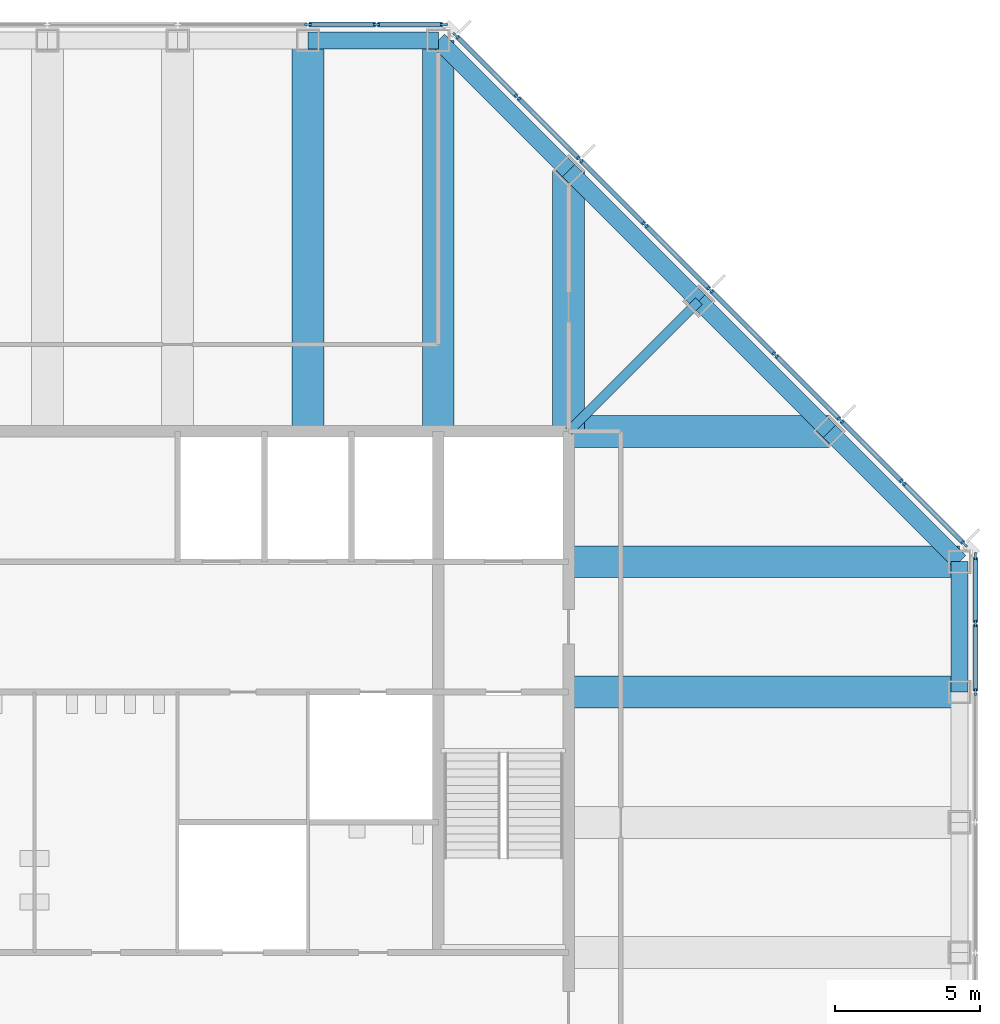
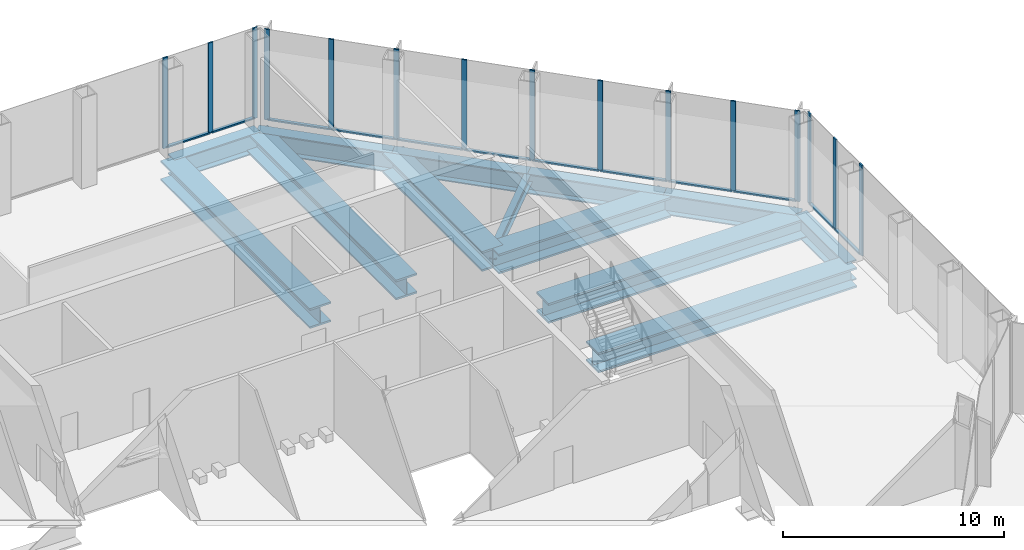
# One storey, part 5 of 12: 27 members, 13 beams, 3 elements without a shape of their own.
"""IFC4 building model written with IfcOpenShell, lengths in metres."""

from ifc_helpers import new_model, si_unit, direction, frame, origin, origin_2d, place, context, subcontext, project, spatial, rectangle, i_section, extrude, material, material_profile, profile_set, type_object, element, aggregate, save


model = new_model("IFC4")

# Units and contexts
model_context = context("Model", 3, precision=1e-05, world=origin(), true_north=direction((0.0, 1.0)))
body_context = subcontext(model_context, "Body", "Model", "MODEL_VIEW")
ifc_project = project(units=[si_unit("LENGTHUNIT", "METRE"), si_unit("AREAUNIT", "SQUARE_METRE"), si_unit("VOLUMEUNIT", "CUBIC_METRE"), si_unit("PLANEANGLEUNIT", "RADIAN"), si_unit("MASSUNIT", "GRAM", prefix="KILO")], contexts=[model_context])

# Site, building, storey
site_placement = place(None, origin())
site = spatial("IfcSite", under=ifc_project, at=site_placement, CompositionType="ELEMENT")
building_placement = place(site_placement, origin())
building = spatial("IfcBuilding", under=site, at=building_placement, Name="Corais Broadcast Tower", CompositionType="ELEMENT")
storey_placement = place(building_placement, frame((0.0, 0.0, 205.60009765625)))
storey = spatial("IfcBuildingStorey", under=building, at=storey_placement, Name="L47", CompositionType="ELEMENT", Elevation=205.60009765625)

# Beam
ifc_material_1 = material(Name="Steel ASTM A572 Grade 50", Category="steel")
ifc_material_profile_1 = material_profile(ifc_material_1, i_section(OverallWidth=0.323974609375, OverallDepth=0.611083984375, WebThickness=0.0126953125, FlangeThickness=0.01904296875, at=origin_2d()), Name="W610x155")
ifc_profile_set_1 = profile_set([ifc_material_profile_1], Name="Steel ASTM A572 Grade 50")
beam_type_1 = type_object("IfcBeamType", Name="Corner diagonal W610x155", PredefinedType="BEAM", material=ifc_profile_set_1)
beam_1_placement = place(storey_placement, frame((45.0, 45.0, -0.485595703125), z_axis=(-0.707106781187, -0.707106781187, 0.0), x_axis=(0.707106781187, -0.707106781187, 0.0)))
element("IfcBeam", 1, at=beam_1_placement, inside=storey, type_object=beam_type_1, Name="B6 L/13 to K/12", PredefinedType="BEAM", context=body_context, shape_type="SweptSolid", body=[
    extrude(i_section(OverallWidth=0.323974609375, OverallDepth=0.611083984375, WebThickness=0.0126953125, FlangeThickness=0.01904296875, at=origin_2d()), origin(), (0.0, 0.0, 1.0), 6.364013671875),
])

# Curtain wall, members
ifc_material_2 = material(Name="Aluminium and glass", Category="aluminium")
curtain_wall_type = type_object("IfcCurtainWallType", Name="Sky lobby curtain wall CW4", PredefinedType="NOTDEFINED", material=ifc_material_2)
curtain_wall_1_placement = place(storey_placement, origin())
curtain_wall_1 = element("IfcCurtainWall", 2, at=curtain_wall_1_placement, inside=storey, type_object=curtain_wall_type, Name="CW4 curtain wall L47 4", PredefinedType="NOTDEFINED")
ifc_material_3 = material(Name="Aluminium 6063-T6", Category="aluminium")
ifc_material_profile_2 = material_profile(ifc_material_3, rectangle(XDim=0.080078125, YDim=0.25, at=origin_2d()), Name="Mullion CW4 80x250")
ifc_profile_set_2 = profile_set([ifc_material_profile_2], Name="Aluminium 6063-T6")
member_type_1 = type_object("IfcMemberType", Name="Mullion CW4 80x250", PredefinedType="MULLION", material=ifc_profile_set_2)
member_1_placement = place(storey_placement, frame((31.5, 54.550048828125, 0.0), z_axis=(0.0, 0.0, 1.0), x_axis=(0.0, 1.0, 0.0)))
member_1 = element("IfcMember", 3, at=member_1_placement, type_object=member_type_1, Name="CW4 mullion 5", PredefinedType="MULLION", context=body_context, shape_type="SweptSolid", body=[
    extrude(rectangle(XDim=0.080078125, YDim=0.25, at=origin_2d()), origin(), (0.0, 0.0, 1.0), 5.0),
])
member_2_placement = place(storey_placement, frame((33.864013671875, 54.550048828125, 0.0), z_axis=(0.0, 0.0, 1.0), x_axis=(0.0, 1.0, 0.0)))
member_2 = element("IfcMember", 4, at=member_2_placement, type_object=member_type_1, Name="CW4 mullion 6", PredefinedType="MULLION", context=body_context, shape_type="SweptSolid", body=[
    extrude(rectangle(XDim=0.080078125, YDim=0.25, at=origin_2d()), origin(), (0.0, 0.0, 1.0), 5.0),
])
member_3_placement = place(storey_placement, frame((36.187744140625, 54.550048828125, 0.0), z_axis=(0.0, 0.0, 1.0), x_axis=(0.0, 1.0, 0.0)))
member_3 = element("IfcMember", 5, at=member_3_placement, type_object=member_type_1, Name="CW4 mullion 7", PredefinedType="MULLION", context=body_context, shape_type="SweptSolid", body=[
    extrude(rectangle(XDim=0.080078125, YDim=0.25, at=origin_2d()), origin(), (0.0, 0.0, 1.0), 5.0),
])

curtain_wall_2_placement = place(storey_placement, origin())
curtain_wall_2 = element("IfcCurtainWall", 6, at=curtain_wall_2_placement, inside=storey, type_object=curtain_wall_type, Name="CW4 curtain wall L47 5", PredefinedType="NOTDEFINED")
member_4_placement = place(storey_placement, frame((36.609619140625, 54.168212890625, 0.0), z_axis=(0.0, 0.0, 1.0), x_axis=(0.707106781187, 0.707106781187, 0.0)))
member_4 = element("IfcMember", 7, at=member_4_placement, type_object=member_type_1, Name="CW4 mullion 1", PredefinedType="MULLION", context=body_context, shape_type="SweptSolid", body=[
    extrude(rectangle(XDim=0.080078125, YDim=0.25, at=origin_2d()), origin(), (0.0, 0.0, 1.0), 5.0),
])
member_5_placement = place(storey_placement, frame((38.735107421875, 52.042724609375, 0.0), z_axis=(0.0, 0.0, 1.0), x_axis=(0.707106781187, 0.707106781187, 0.0)))
member_5 = element("IfcMember", 8, at=member_5_placement, type_object=member_type_1, Name="CW4 mullion 2", PredefinedType="MULLION", context=body_context, shape_type="SweptSolid", body=[
    extrude(rectangle(XDim=0.080078125, YDim=0.25, at=origin_2d()), origin(), (0.0, 0.0, 1.0), 5.0),
])
member_6_placement = place(storey_placement, frame((40.888916015625, 49.888916015625, 0.0), z_axis=(0.0, 0.0, 1.0), x_axis=(0.707106781187, 0.707106781187, 0.0)))
member_6 = element("IfcMember", 9, at=member_6_placement, type_object=member_type_1, Name="CW4 mullion 3", PredefinedType="MULLION", context=body_context, shape_type="SweptSolid", body=[
    extrude(rectangle(XDim=0.080078125, YDim=0.25, at=origin_2d()), origin(), (0.0, 0.0, 1.0), 5.0),
])
member_7_placement = place(storey_placement, frame((43.138916015625, 47.638916015625, 0.0), z_axis=(0.0, 0.0, 1.0), x_axis=(0.707106781187, 0.707106781187, 0.0)))
member_7 = element("IfcMember", 10, at=member_7_placement, type_object=member_type_1, Name="CW4 mullion 4", PredefinedType="MULLION", context=body_context, shape_type="SweptSolid", body=[
    extrude(rectangle(XDim=0.080078125, YDim=0.25, at=origin_2d()), origin(), (0.0, 0.0, 1.0), 5.0),
])
member_8_placement = place(storey_placement, frame((45.388916015625, 45.388916015625, 0.0), z_axis=(0.0, 0.0, 1.0), x_axis=(0.707106781187, 0.707106781187, 0.0)))
member_8 = element("IfcMember", 11, at=member_8_placement, type_object=member_type_1, Name="CW4 mullion 5", PredefinedType="MULLION", context=body_context, shape_type="SweptSolid", body=[
    extrude(rectangle(XDim=0.080078125, YDim=0.25, at=origin_2d()), origin(), (0.0, 0.0, 1.0), 5.0),
])
member_9_placement = place(storey_placement, frame((47.638916015625, 43.138916015625, 0.0), z_axis=(0.0, 0.0, 1.0), x_axis=(0.707106781187, 0.707106781187, 0.0)))
member_9 = element("IfcMember", 12, at=member_9_placement, type_object=member_type_1, Name="CW4 mullion 6", PredefinedType="MULLION", context=body_context, shape_type="SweptSolid", body=[
    extrude(rectangle(XDim=0.080078125, YDim=0.25, at=origin_2d()), origin(), (0.0, 0.0, 1.0), 5.0),
])
member_10_placement = place(storey_placement, frame((49.888916015625, 40.888916015625, 0.0), z_axis=(0.0, 0.0, 1.0), x_axis=(0.707106781187, 0.707106781187, 0.0)))
member_10 = element("IfcMember", 13, at=member_10_placement, type_object=member_type_1, Name="CW4 mullion 7", PredefinedType="MULLION", context=body_context, shape_type="SweptSolid", body=[
    extrude(rectangle(XDim=0.080078125, YDim=0.25, at=origin_2d()), origin(), (0.0, 0.0, 1.0), 5.0),
])
member_11_placement = place(storey_placement, frame((52.042724609375, 38.735107421875, 0.0), z_axis=(0.0, 0.0, 1.0), x_axis=(0.707106781187, 0.707106781187, 0.0)))
member_11 = element("IfcMember", 14, at=member_11_placement, type_object=member_type_1, Name="CW4 mullion 8", PredefinedType="MULLION", context=body_context, shape_type="SweptSolid", body=[
    extrude(rectangle(XDim=0.080078125, YDim=0.25, at=origin_2d()), origin(), (0.0, 0.0, 1.0), 5.0),
])
member_12_placement = place(storey_placement, frame((54.168212890625, 36.609619140625, 0.0), z_axis=(0.0, 0.0, 1.0), x_axis=(0.707106781187, 0.707106781187, 0.0)))
member_12 = element("IfcMember", 15, at=member_12_placement, type_object=member_type_1, Name="CW4 mullion 9", PredefinedType="MULLION", context=body_context, shape_type="SweptSolid", body=[
    extrude(rectangle(XDim=0.080078125, YDim=0.25, at=origin_2d()), origin(), (0.0, 0.0, 1.0), 5.0),
])

curtain_wall_3_placement = place(storey_placement, origin())
curtain_wall_3 = element("IfcCurtainWall", 16, at=curtain_wall_3_placement, inside=storey, type_object=curtain_wall_type, Name="CW4 curtain wall L47 6", PredefinedType="NOTDEFINED")
member_13_placement = place(storey_placement, frame((54.550048828125, 36.187744140625, 0.0), z_axis=(0.0, 0.0, 1.0), x_axis=(1.0, 0.0, 0.0)))
member_13 = element("IfcMember", 17, at=member_13_placement, type_object=member_type_1, Name="CW4 mullion 1", PredefinedType="MULLION", context=body_context, shape_type="SweptSolid", body=[
    extrude(rectangle(XDim=0.080078125, YDim=0.25, at=origin_2d()), origin(), (0.0, 0.0, 1.0), 5.0),
])
member_14_placement = place(storey_placement, frame((54.550048828125, 33.864013671875, 0.0), z_axis=(0.0, 0.0, 1.0), x_axis=(1.0, 0.0, 0.0)))
member_14 = element("IfcMember", 18, at=member_14_placement, type_object=member_type_1, Name="CW4 mullion 2", PredefinedType="MULLION", context=body_context, shape_type="SweptSolid", body=[
    extrude(rectangle(XDim=0.080078125, YDim=0.25, at=origin_2d()), origin(), (0.0, 0.0, 1.0), 5.0),
])
member_15_placement = place(storey_placement, frame((54.550048828125, 31.5, 0.0), z_axis=(0.0, 0.0, 1.0), x_axis=(1.0, 0.0, 0.0)))
member_15 = element("IfcMember", 19, at=member_15_placement, type_object=member_type_1, Name="CW4 mullion 3", PredefinedType="MULLION", context=body_context, shape_type="SweptSolid", body=[
    extrude(rectangle(XDim=0.080078125, YDim=0.25, at=origin_2d()), origin(), (0.0, 0.0, 1.0), 5.0),
])

# Beams
ifc_material_4 = material(Name="Steel ASTM A572 Grade 50", Category="steel")
ifc_material_profile_3 = material_profile(ifc_material_4, i_section(OverallWidth=1.10009765625, OverallDepth=1.10009765625, WebThickness=0.030029296875, FlangeThickness=0.10009765625, at=origin_2d()), Name="PG1100x1939")
ifc_profile_set_3 = profile_set([ifc_material_profile_3], Name="Steel ASTM A572 Grade 50")
beam_type_2 = type_object("IfcBeamType", Name="Transfer floor beam PG1100x1939", PredefinedType="BEAM", material=ifc_profile_set_3)
for number, where, z_axis, x_axis, name in (
    (20, (31.5, 54.0, -0.72998046875), (0.0, -1.0, 0.0), (1.0, 0.0, 0.0), "B19 N/10 to K/10"),
    (21, (36.0, 54.0, -0.72998046875), (0.0, -1.0, 0.0), (1.0, 0.0, 0.0), "B19 N/11 to K/11"),
):
    element("IfcBeam", number, at=place(storey_placement, frame(where, z_axis=z_axis, x_axis=x_axis)), inside=storey, type_object=beam_type_2, Name=name, PredefinedType="BEAM", context=body_context, shape_type="SweptSolid", body=[
        extrude(i_section(OverallWidth=1.10009765625, OverallDepth=1.10009765625, WebThickness=0.030029296875, FlangeThickness=0.10009765625, at=origin_2d()), origin(), (0.0, 0.0, 1.0), 13.5),
    ])
for number, where, z_axis, x_axis, name in (
    (22, (40.5, 49.5, -0.72998046875), (0.0, -1.0, 0.0), (1.0, 0.0, 0.0), "B19 M/12 to K/12"),
    (23, (49.5, 40.5, -0.72998046875), (-1.0, 0.0, 0.0), (0.0, -1.0, 0.0), "B19 K/14 to K/12"),
):
    element("IfcBeam", number, at=place(storey_placement, frame(where, z_axis=z_axis, x_axis=x_axis)), inside=storey, type_object=beam_type_2, Name=name, PredefinedType="BEAM", context=body_context, shape_type="SweptSolid", body=[
        extrude(i_section(OverallWidth=1.10009765625, OverallDepth=1.10009765625, WebThickness=0.030029296875, FlangeThickness=0.10009765625, at=origin_2d()), origin(), (0.0, 0.0, 1.0), 9.0),
    ])
for number, where, z_axis, x_axis, name in (
    (24, (54.0, 31.5, -0.72998046875), (-1.0, 0.0, 0.0), (0.0, -1.0, 0.0), "B19 H/15 to H/12"),
    (25, (54.0, 36.0, -0.72998046875), (-1.0, 0.0, 0.0), (0.0, -1.0, 0.0), "B19 J/15 to J/12"),
):
    element("IfcBeam", number, at=place(storey_placement, frame(where, z_axis=z_axis, x_axis=x_axis)), inside=storey, type_object=beam_type_2, Name=name, PredefinedType="BEAM", context=body_context, shape_type="SweptSolid", body=[
        extrude(i_section(OverallWidth=1.10009765625, OverallDepth=1.10009765625, WebThickness=0.030029296875, FlangeThickness=0.10009765625, at=origin_2d()), origin(), (0.0, 0.0, 1.0), 13.5),
    ])
ifc_material_5 = material(Name="Steel ASTM A572 Grade 50", Category="steel")
ifc_material_profile_4 = material_profile(ifc_material_5, i_section(OverallWidth=0.60009765625, OverallDepth=1.10009765625, WebThickness=0.030029296875, FlangeThickness=0.06005859375, at=origin_2d()), Name="PG1100x796")
ifc_profile_set_4 = profile_set([ifc_material_profile_4], Name="Steel ASTM A572 Grade 50")
beam_type_3 = type_object("IfcBeamType", Name="Transfer spandrel PG1100x796", PredefinedType="BEAM", material=ifc_profile_set_4)
beam_2_placement = place(storey_placement, frame((36.0, 54.0, -0.72998046875), z_axis=(-1.0, 0.0, 0.0), x_axis=(0.0, -1.0, 0.0)))
element("IfcBeam", 26, at=beam_2_placement, inside=storey, type_object=beam_type_3, Name="SB5 N/11 to N/10", PredefinedType="BEAM", context=body_context, shape_type="SweptSolid", body=[
    extrude(i_section(OverallWidth=0.60009765625, OverallDepth=1.10009765625, WebThickness=0.030029296875, FlangeThickness=0.06005859375, at=origin_2d()), origin(), (0.0, 0.0, 1.0), 4.5),
])
for number, where, z_axis, x_axis, name in (
    (27, (40.5, 49.5, -0.72998046875), (-0.707106781187, 0.707106781187, 0.0), (-0.707106781187, -0.707106781187, 0.0), "SB5 M/12 to N/11"),
    (28, (45.0, 45.0, -0.72998046875), (-0.707106781187, 0.707106781187, 0.0), (-0.707106781187, -0.707106781187, 0.0), "SB5 L/13 to M/12"),
    (29, (49.5, 40.5, -0.72998046875), (-0.707106781187, 0.707106781187, 0.0), (-0.707106781187, -0.707106781187, 0.0), "SB5 K/14 to L/13"),
):
    element("IfcBeam", number, at=place(storey_placement, frame(where, z_axis=z_axis, x_axis=x_axis)), inside=storey, type_object=beam_type_3, Name=name, PredefinedType="BEAM", context=body_context, shape_type="SweptSolid", body=[
        extrude(i_section(OverallWidth=0.60009765625, OverallDepth=1.10009765625, WebThickness=0.030029296875, FlangeThickness=0.06005859375, at=origin_2d()), origin(), (0.0, 0.0, 1.0), 6.364013671875),
    ])
beam_3_placement = place(storey_placement, frame((54.0, 31.5, -0.72998046875), z_axis=(0.0, 1.0, 0.0), x_axis=(-1.0, 0.0, 0.0)))
element("IfcBeam", 30, at=beam_3_placement, inside=storey, type_object=beam_type_3, Name="SB5 H/15 to J/15", PredefinedType="BEAM", context=body_context, shape_type="SweptSolid", body=[
    extrude(i_section(OverallWidth=0.60009765625, OverallDepth=1.10009765625, WebThickness=0.030029296875, FlangeThickness=0.06005859375, at=origin_2d()), origin(), (0.0, 0.0, 1.0), 4.5),
])
beam_4_placement = place(storey_placement, frame((54.0, 36.0, -0.72998046875), z_axis=(-0.707106781187, 0.707106781187, 0.0), x_axis=(-0.707106781187, -0.707106781187, 0.0)))
element("IfcBeam", 31, at=beam_4_placement, inside=storey, type_object=beam_type_3, Name="SB5 J/15 to K/14", PredefinedType="BEAM", context=body_context, shape_type="SweptSolid", body=[
    extrude(i_section(OverallWidth=0.60009765625, OverallDepth=1.10009765625, WebThickness=0.030029296875, FlangeThickness=0.06005859375, at=origin_2d()), origin(), (0.0, 0.0, 1.0), 6.364013671875),
])

# Member
ifc_material_6 = material(Name="Aluminium 6063-T6", Category="aluminium")
ifc_material_profile_5 = material_profile(ifc_material_6, rectangle(XDim=0.159912109375, YDim=0.080078125, at=origin_2d()), Name="Transom CW4 80x160")
ifc_profile_set_5 = profile_set([ifc_material_profile_5], Name="Aluminium 6063-T6")
member_type_2 = type_object("IfcMemberType", Name="Transom CW4 80x160", PredefinedType="USERDEFINED", material=ifc_profile_set_5)
member_16_placement = place(storey_placement, frame((31.5400390625, 54.550048828125, 0.039794921875), z_axis=(1.0, 0.0, 0.0), x_axis=(0.0, 1.0, 0.0)))
member_16 = element("IfcMember", 32, at=member_16_placement, type_object=member_type_2, Name="CW4 transom 5.1", ObjectType="TRANSOM", PredefinedType="USERDEFINED", context=body_context, shape_type="SweptSolid", body=[
    extrude(rectangle(XDim=0.159912109375, YDim=0.080078125, at=origin_2d()), origin(), (0.0, 0.0, 1.0), 2.283935546875),
])

member_17_placement = place(storey_placement, frame((33.90380859375, 54.550048828125, 0.039794921875), z_axis=(1.0, 0.0, 0.0), x_axis=(0.0, 1.0, 0.0)))
member_17 = element("IfcMember", 33, at=member_17_placement, type_object=member_type_2, Name="CW4 transom 6.1", ObjectType="TRANSOM", PredefinedType="USERDEFINED", context=body_context, shape_type="SweptSolid", body=[
    extrude(rectangle(XDim=0.159912109375, YDim=0.080078125, at=origin_2d()), origin(), (0.0, 0.0, 1.0), 2.243896484375),
])

aggregate(curtain_wall_1, [member_1, member_2, member_3, member_16, member_17])

member_18_placement = place(storey_placement, frame((36.637939453125, 54.139892578125, 0.039794921875), z_axis=(0.707106781187, -0.707106781187, 0.0), x_axis=(0.707106781187, 0.707106781187, 0.0)))
member_18 = element("IfcMember", 34, at=member_18_placement, type_object=member_type_2, Name="CW4 transom 1.1", ObjectType="TRANSOM", PredefinedType="USERDEFINED", context=body_context, shape_type="SweptSolid", body=[
    extrude(rectangle(XDim=0.159912109375, YDim=0.080078125, at=origin_2d()), origin(), (0.0, 0.0, 1.0), 2.92578125),
])

member_19_placement = place(storey_placement, frame((38.763427734375, 52.014404296875, 0.039794921875), z_axis=(0.707106781187, -0.707106781187, 0.0), x_axis=(0.707106781187, 0.707106781187, 0.0)))
member_19 = element("IfcMember", 35, at=member_19_placement, type_object=member_type_2, Name="CW4 transom 2.1", ObjectType="TRANSOM", PredefinedType="USERDEFINED", context=body_context, shape_type="SweptSolid", body=[
    extrude(rectangle(XDim=0.159912109375, YDim=0.080078125, at=origin_2d()), origin(), (0.0, 0.0, 1.0), 2.9658203125),
])

member_20_placement = place(storey_placement, frame((40.917236328125, 49.860595703125, 0.039794921875), z_axis=(0.707106781187, -0.707106781187, 0.0), x_axis=(0.707106781187, 0.707106781187, 0.0)))
member_20 = element("IfcMember", 36, at=member_20_placement, type_object=member_type_2, Name="CW4 transom 3.1", ObjectType="TRANSOM", PredefinedType="USERDEFINED", context=body_context, shape_type="SweptSolid", body=[
    extrude(rectangle(XDim=0.159912109375, YDim=0.080078125, at=origin_2d()), origin(), (0.0, 0.0, 1.0), 3.101806640625),
])

member_21_placement = place(storey_placement, frame((43.167236328125, 47.610595703125, 0.039794921875), z_axis=(0.707106781187, -0.707106781187, 0.0), x_axis=(0.707106781187, 0.707106781187, 0.0)))
member_21 = element("IfcMember", 37, at=member_21_placement, type_object=member_type_2, Name="CW4 transom 4.1", ObjectType="TRANSOM", PredefinedType="USERDEFINED", context=body_context, shape_type="SweptSolid", body=[
    extrude(rectangle(XDim=0.159912109375, YDim=0.080078125, at=origin_2d()), origin(), (0.0, 0.0, 1.0), 3.101806640625),
])

member_22_placement = place(storey_placement, frame((45.417236328125, 45.360595703125, 0.039794921875), z_axis=(0.707106781187, -0.707106781187, 0.0), x_axis=(0.707106781187, 0.707106781187, 0.0)))
member_22 = element("IfcMember", 38, at=member_22_placement, type_object=member_type_2, Name="CW4 transom 5.1", ObjectType="TRANSOM", PredefinedType="USERDEFINED", context=body_context, shape_type="SweptSolid", body=[
    extrude(rectangle(XDim=0.159912109375, YDim=0.080078125, at=origin_2d()), origin(), (0.0, 0.0, 1.0), 3.101806640625),
])

member_23_placement = place(storey_placement, frame((47.667236328125, 43.110595703125, 0.039794921875), z_axis=(0.707106781187, -0.707106781187, 0.0), x_axis=(0.707106781187, 0.707106781187, 0.0)))
member_23 = element("IfcMember", 39, at=member_23_placement, type_object=member_type_2, Name="CW4 transom 6.1", ObjectType="TRANSOM", PredefinedType="USERDEFINED", context=body_context, shape_type="SweptSolid", body=[
    extrude(rectangle(XDim=0.159912109375, YDim=0.080078125, at=origin_2d()), origin(), (0.0, 0.0, 1.0), 3.101806640625),
])

member_24_placement = place(storey_placement, frame((49.917236328125, 40.860595703125, 0.039794921875), z_axis=(0.707106781187, -0.707106781187, 0.0), x_axis=(0.707106781187, 0.707106781187, 0.0)))
member_24 = element("IfcMember", 40, at=member_24_placement, type_object=member_type_2, Name="CW4 transom 7.1", ObjectType="TRANSOM", PredefinedType="USERDEFINED", context=body_context, shape_type="SweptSolid", body=[
    extrude(rectangle(XDim=0.159912109375, YDim=0.080078125, at=origin_2d()), origin(), (0.0, 0.0, 1.0), 2.9658203125),
])

member_25_placement = place(storey_placement, frame((52.07080078125, 38.706787109375, 0.039794921875), z_axis=(0.707148499631, -0.70706506028, 0.0), x_axis=(0.70706506028, 0.707148499631, 0.0)))
member_25 = element("IfcMember", 41, at=member_25_placement, type_object=member_type_2, Name="CW4 transom 8.1", ObjectType="TRANSOM", PredefinedType="USERDEFINED", context=body_context, shape_type="SweptSolid", body=[
    extrude(rectangle(XDim=0.159912109375, YDim=0.080078125, at=origin_2d()), origin(), (0.0, 0.0, 1.0), 2.926025390625),
])

aggregate(curtain_wall_2, [member_4, member_5, member_6, member_7, member_8, member_9, member_10, member_11, member_12, member_18, member_19, member_20, member_21, member_22, member_23, member_24, member_25])

member_26_placement = place(storey_placement, frame((54.550048828125, 36.147705078125, 0.039794921875), z_axis=(0.0, -1.0, 0.0), x_axis=(1.0, 0.0, 0.0)))
member_26 = element("IfcMember", 42, at=member_26_placement, type_object=member_type_2, Name="CW4 transom 1.1", ObjectType="TRANSOM", PredefinedType="USERDEFINED", context=body_context, shape_type="SweptSolid", body=[
    extrude(rectangle(XDim=0.159912109375, YDim=0.080078125, at=origin_2d()), origin(), (0.0, 0.0, 1.0), 2.243896484375),
])

member_27_placement = place(storey_placement, frame((54.550048828125, 33.823974609375, 0.039794921875), z_axis=(0.0, -1.0, 0.0), x_axis=(1.0, 0.0, 0.0)))
member_27 = element("IfcMember", 43, at=member_27_placement, type_object=member_type_2, Name="CW4 transom 2.1", ObjectType="TRANSOM", PredefinedType="USERDEFINED", context=body_context, shape_type="SweptSolid", body=[
    extrude(rectangle(XDim=0.159912109375, YDim=0.080078125, at=origin_2d()), origin(), (0.0, 0.0, 1.0), 2.283935546875),
])

aggregate(curtain_wall_3, [member_13, member_14, member_15, member_26, member_27])

save(model, "model.ifc")
